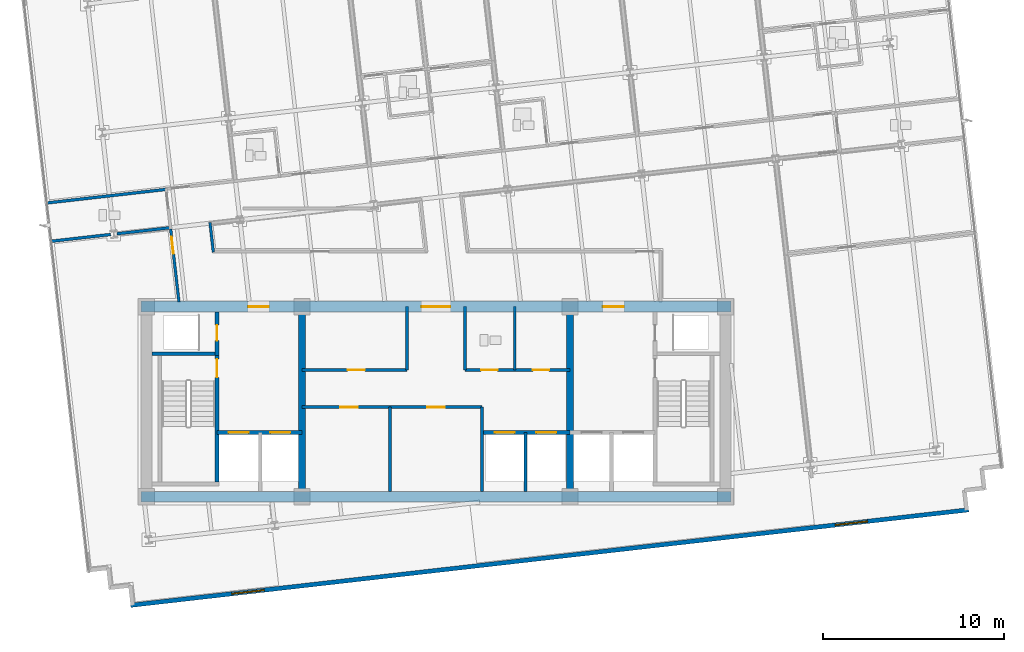
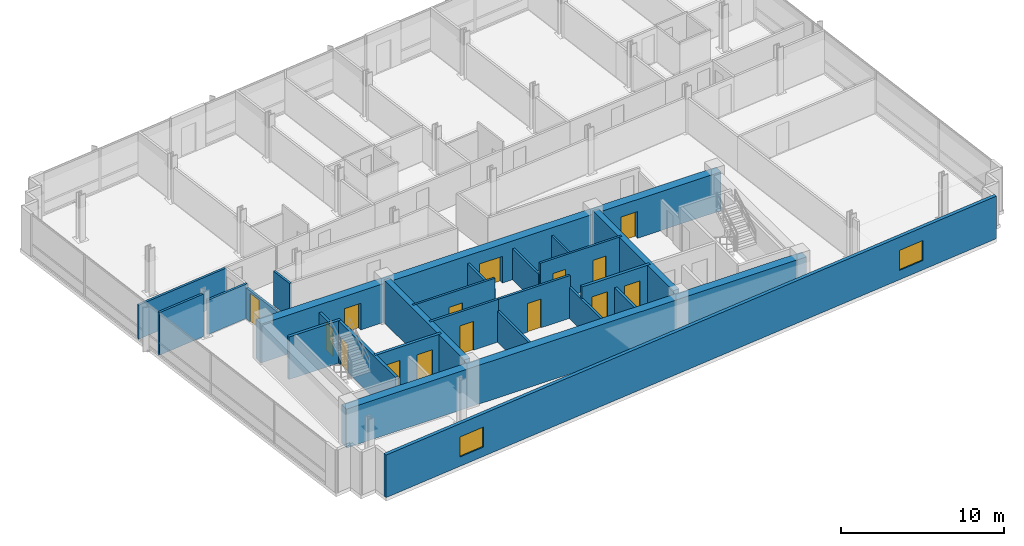
# One storey, part 9 of 16: 25 walls, 15 doors, 2 windows, 17 openings.
"""IFC4 building model written with IfcOpenShell, lengths in metres."""

from ifc_helpers import new_model, si_unit, direction, frame, frame_2d, origin, place, context, subcontext, project, spatial, rectangle, extrude, material, layer, layer_set, type_object, element, fill, save


model = new_model("IFC4")

# Units and contexts
model_context = context("Model", 3, precision=1e-05, world=origin(), true_north=direction((0.0, 1.0)))
body_context = subcontext(model_context, "Body", "Model", "MODEL_VIEW")
ifc_project = project(units=[si_unit("LENGTHUNIT", "METRE"), si_unit("AREAUNIT", "SQUARE_METRE"), si_unit("VOLUMEUNIT", "CUBIC_METRE"), si_unit("PLANEANGLEUNIT", "RADIAN"), si_unit("MASSUNIT", "GRAM", prefix="KILO")], contexts=[model_context])

# Site, building, storey
site_placement = place(None, origin())
site = spatial("IfcSite", under=ifc_project, at=site_placement, CompositionType="ELEMENT")
building_placement = place(site_placement, origin())
building = spatial("IfcBuilding", under=site, at=building_placement, Name="Solmavex Isthmus Hotel", CompositionType="ELEMENT")
storey_placement = place(building_placement, frame((0.0, 0.0, 215.85009765625)))
storey = spatial("IfcBuildingStorey", under=building, at=storey_placement, Name="L58", CompositionType="ELEMENT", Elevation=215.85009765625)

# Wall, openings, windows
ifc_material_1 = material(Name="Precast Concrete C40/50", Category="concrete")
ifc_layer_1 = layer(ifc_material_1, 0.25)
ifc_layer_set_1 = layer_set([ifc_layer_1], Name="Precast Concrete C40/50")
wall_type_1 = type_object("IfcWallType", Name="EW-TWR-250", PredefinedType="STANDARD", material=ifc_layer_set_1)
wall_1_placement = place(storey_placement, frame((-16.86962890625, -18.99951171875, 0.0), z_axis=(0.0, 0.0, 1.0), x_axis=(0.993571588328, 0.113205560228, 0.0)))
wall_1 = element("IfcWall", 1, at=wall_1_placement, inside=storey, type_object=wall_type_1, Name="Tower Rear South Facade Wall L58", PredefinedType="STANDARD", context=body_context, shape_type="SweptSolid", body=[
    extrude(rectangle(XDim=46.60009765625, YDim=0.239990234375, at=frame_2d((23.300048828125, 0.0))), origin(), (0.0, 0.0, 1.0), 3.18994140625),
])
opening_1_placement = place(wall_1_placement, frame((5.6240234375, 0.0, 0.699951171875)))
opening_1 = element("IfcOpeningElement", 2, at=opening_1_placement, cuts=wall_1, Name="Opening WN-02", PredefinedType="OPENING", context=body_context, shape_type="SweptSolid", body=[
    extrude(rectangle(XDim=1.800048828125, YDim=1.5, at=frame_2d((0.89990234375, 0.75))), frame((0.0, 0.1298828125, 0.0), z_axis=(0.0, -1.0, 0.0), x_axis=(1.0, 0.0, 0.0)), (0.0, 0.0, 1.0), 0.260009765625),
])
opening_2_placement = place(wall_1_placement, frame((39.176025390625, 0.0, 0.699951171875)))
opening_2 = element("IfcOpeningElement", 3, at=opening_2_placement, cuts=wall_1, Name="Opening WN-02", PredefinedType="OPENING", context=body_context, shape_type="SweptSolid", body=[
    extrude(rectangle(XDim=1.800048828125, YDim=1.5, at=frame_2d((0.89990234375, 0.75))), frame((0.0, 0.1298828125, 0.0), z_axis=(0.0, -1.0, 0.0), x_axis=(1.0, 0.0, 0.0)), (0.0, 0.0, 1.0), 0.260009765625),
])
ifc_material_2 = material(Name="Clear low-E laminated glass", Category="glass")
window_type = type_object("IfcWindowType", Name="WIN-TWR-1800", PartitioningType="SINGLE_PANEL", PredefinedType="WINDOW", material=ifc_material_2)
window_1_placement = place(opening_1_placement, origin())
window_1 = element("IfcWindow", 4, at=window_1_placement, inside=storey, type_object=window_type, Name="South Facade Vision Window L58-S1", OverallHeight=1.5, OverallWidth=1.800048828125, PartitioningType="SINGLE_PANEL", PredefinedType="WINDOW", context=body_context, shape_type="SweptSolid", body=[
    extrude(rectangle(XDim=1.800048828125, YDim=1.5, at=frame_2d((0.89990234375, 0.75))), frame((0.0, 0.030029296875, 0.0), z_axis=(0.0, -1.0, 0.0), x_axis=(1.0, 0.0, 0.0)), (0.0, 0.0, 1.0), 0.06005859375),
])
fill(opening_1, window_1)
window_2_placement = place(opening_2_placement, origin())
window_2 = element("IfcWindow", 5, at=window_2_placement, inside=storey, type_object=window_type, Name="South Facade Vision Window L58-S2", OverallHeight=1.5, OverallWidth=1.800048828125, PartitioningType="SINGLE_PANEL", PredefinedType="WINDOW", context=body_context, shape_type="SweptSolid", body=[
    extrude(rectangle(XDim=1.800048828125, YDim=1.5, at=frame_2d((0.89990234375, 0.75))), frame((0.0, 0.030029296875, 0.0), z_axis=(0.0, -1.0, 0.0), x_axis=(1.0, 0.0, 0.0)), (0.0, 0.0, 1.0), 0.06005859375),
])
fill(opening_2, window_2)

# Wall, opening, door
ifc_material_3 = material(Name="Gypsum plasterboard lining", Category="gypsum")
ifc_layer_2 = layer(ifc_material_3, 0.159912109375)
ifc_layer_set_2 = layer_set([ifc_layer_2], Name="Gypsum plasterboard lining")
wall_type_2 = type_object("IfcWallType", Name="IW-COMP-160", PredefinedType="PARTITIONING", material=ifc_layer_set_2)
wall_2_placement = place(storey_placement, frame((-7.39990234375, -8.050048828125, 0.0), z_axis=(0.0, 0.0, 1.0), x_axis=(1.0, 0.0, 0.0)))
wall_2 = element("IfcWall", 6, at=wall_2_placement, inside=storey, type_object=wall_type_2, Name="Interior Partition Wall W-L58-REC-PLL-N", PredefinedType="PARTITIONING", context=body_context, shape_type="SweptSolid", body=[
    extrude(rectangle(XDim=4.849853515625, YDim=0.159912109375, at=frame_2d((2.4248046875, 0.0))), origin(), (0.0, 0.0, 1.0), 3.18994140625),
])
opening_3_placement = place(wall_2_placement, frame((2.125, 0.0, 0.0)))
opening_3 = element("IfcOpeningElement", 7, at=opening_3_placement, cuts=wall_2, Name="Opening ID-C095", PredefinedType="OPENING", context=body_context, shape_type="SweptSolid", body=[
    extrude(rectangle(XDim=0.949951171875, YDim=2.14990234375, at=frame_2d((0.47509765625, 1.074951171875))), frame((0.0, 0.08984375, 0.0), z_axis=(0.0, -1.0, 0.0), x_axis=(1.0, 0.0, 0.0)), (0.0, 0.0, 1.0), 0.179931640625),
])
ifc_material_4 = material(Name="Hardwood timber", Category="wood")
door_type_1 = type_object("IfcDoorType", Name="IDR-FD60-0950", OperationType="NOTDEFINED", PredefinedType="DOOR", material=ifc_material_4)
door_1_placement = place(opening_3_placement, origin())
door_1 = element("IfcDoor", 8, at=door_1_placement, inside=storey, type_object=door_type_1, Name="Linen Reserve Door L58", OperationType="SINGLE_SWING_LEFT", OverallHeight=2.14990234375, OverallWidth=0.949951171875, PredefinedType="DOOR", context=body_context, shape_type="SweptSolid", body=[
    extrude(rectangle(XDim=0.949951171875, YDim=2.14990234375, at=frame_2d((0.47509765625, 1.074951171875))), frame((0.0, 0.02490234375, 0.0), z_axis=(0.0, -1.0, 0.0), x_axis=(1.0, 0.0, 0.0)), (0.0, 0.0, 1.0), 0.050048828125),
])
fill(opening_3, door_1)

# Wall
wall_3_placement = place(storey_placement, frame((-2.550048828125, -12.699951171875, 0.0), z_axis=(0.0, 0.0, 1.0), x_axis=(0.0, 1.0, 0.0)))
element("IfcWall", 9, at=wall_3_placement, inside=storey, type_object=wall_type_2, Name="Interior Partition Wall W-L58-REC-PLL-E", PredefinedType="PARTITIONING", context=body_context, shape_type="SweptSolid", body=[
    extrude(rectangle(XDim=4.64990234375, YDim=0.159912109375, at=frame_2d((2.324951171875, 0.0))), origin(), (0.0, 0.0, 1.0), 2.324951171875),
])

# Wall, opening, door
wall_4_placement = place(storey_placement, frame((-2.550048828125, -8.050048828125, 0.0), z_axis=(0.0, 0.0, 1.0), x_axis=(1.0, 0.0, 0.0)))
wall_4 = element("IfcWall", 10, at=wall_4_placement, inside=storey, type_object=wall_type_2, Name="Interior Partition Wall W-L58-REC-PLM-N", PredefinedType="PARTITIONING", context=body_context, shape_type="SweptSolid", body=[
    extrude(rectangle(XDim=5.10009765625, YDim=0.159912109375, at=frame_2d((2.550048828125, 0.0))), origin(), (0.0, 0.0, 1.0), 3.18994140625),
])
opening_4_placement = place(wall_4_placement, frame((2.074951171875, 0.0, 0.0)))
opening_4 = element("IfcOpeningElement", 11, at=opening_4_placement, cuts=wall_4, Name="Opening ID-C095", PredefinedType="OPENING", context=body_context, shape_type="SweptSolid", body=[
    extrude(rectangle(XDim=0.949951171875, YDim=2.14990234375, at=frame_2d((0.47509765625, 1.074951171875))), frame((0.0, 0.08984375, 0.0), z_axis=(0.0, -1.0, 0.0), x_axis=(1.0, 0.0, 0.0)), (0.0, 0.0, 1.0), 0.179931640625),
])
door_2_placement = place(opening_4_placement, origin())
door_2 = element("IfcDoor", 12, at=door_2_placement, inside=storey, type_object=door_type_1, Name="Butler Store Door L58", OperationType="SINGLE_SWING_RIGHT", OverallHeight=2.14990234375, OverallWidth=0.949951171875, PredefinedType="DOOR", context=body_context, shape_type="SweptSolid", body=[
    extrude(rectangle(XDim=0.949951171875, YDim=2.14990234375, at=frame_2d((0.47509765625, 1.074951171875))), frame((0.0, 0.02490234375, 0.0), z_axis=(0.0, -1.0, 0.0), x_axis=(1.0, 0.0, 0.0)), (0.0, 0.0, 1.0), 0.050048828125),
])
fill(opening_4, door_2)

# Walls
wall_5_placement = place(storey_placement, frame((2.550048828125, -12.699951171875, 0.0), z_axis=(0.0, 0.0, 1.0), x_axis=(0.0, 1.0, 0.0)))
element("IfcWall", 13, at=wall_5_placement, inside=storey, type_object=wall_type_2, Name="Interior Partition Wall W-L58-REC-PLM-E", PredefinedType="PARTITIONING", context=body_context, shape_type="SweptSolid", body=[
    extrude(rectangle(XDim=4.64990234375, YDim=0.159912109375, at=frame_2d((2.324951171875, 0.0))), origin(), (0.0, 0.0, 1.0), 2.324951171875),
])
wall_6_placement = place(storey_placement, frame((-14.86865234375, 3.98486328125, 0.0), z_axis=(0.0, 0.0, 1.0), x_axis=(-0.993568743641, -0.113230524415, 0.0)))
element("IfcWall", 14, at=wall_6_placement, inside=storey, type_object=wall_type_2, Name="Interior Partition Wall W-L58-P028", PredefinedType="PARTITIONING", context=body_context, shape_type="SweptSolid", body=[
    extrude(rectangle(XDim=6.7099609375, YDim=0.159912109375, at=frame_2d((3.35498046875, 0.0))), origin(), (0.0, 0.0, 1.0), 2.557373046875),
])
wall_7_placement = place(storey_placement, frame((-17.97216796875, 1.4873046875, 0.0), z_axis=(0.0, 0.0, 1.0), x_axis=(-0.993575433752, -0.113171804991, 0.0)))
element("IfcWall", 15, at=wall_7_placement, inside=storey, type_object=wall_type_2, Name="Interior Partition Wall W-L58-P063", PredefinedType="PARTITIONING", context=body_context, shape_type="SweptSolid", body=[
    extrude(rectangle(XDim=3.34375, YDim=0.159912109375, at=frame_2d((1.671875, 0.0))), origin(), (0.0, 0.0, 1.0), 3.18994140625),
])
wall_8_placement = place(storey_placement, frame((-14.62744140625, 1.868408203125, 0.0), z_axis=(0.0, 0.0, 1.0), x_axis=(-0.993574646464, -0.113178716659, 0.0)))
element("IfcWall", 16, at=wall_8_placement, inside=storey, type_object=wall_type_2, Name="Interior Partition Wall W-L58-P064", PredefinedType="PARTITIONING", context=body_context, shape_type="SweptSolid", body=[
    extrude(rectangle(XDim=3.013427734375, YDim=0.159912109375, at=frame_2d((1.5068359375, 0.0))), origin(), (0.0, 0.0, 1.0), 2.572265625),
])

# Wall, opening, door
ifc_layer_3 = layer(ifc_material_3, 0.14990234375)
ifc_layer_set_3 = layer_set([ifc_layer_3], Name="Gypsum plasterboard lining")
wall_type_3 = type_object("IfcWallType", Name="IW-CORR-150", PredefinedType="PARTITIONING", material=ifc_layer_set_3)
wall_9_placement = place(storey_placement, frame((-7.39990234375, -6.0, 0.0), z_axis=(0.0, 0.0, 1.0), x_axis=(1.0, 0.0, 0.0)))
wall_9 = element("IfcWall", 17, at=wall_9_placement, inside=storey, type_object=wall_type_3, Name="Interior Partition Wall W-L58-BOH-WS", PredefinedType="PARTITIONING", context=body_context, shape_type="SweptSolid", body=[
    extrude(rectangle(XDim=5.7998046875, YDim=0.14990234375, at=frame_2d((2.89990234375, 0.0))), origin(), (0.0, 0.0, 1.0), 3.18994140625),
])
opening_5_placement = place(wall_9_placement, frame((2.52490234375, 0.0, 0.0)))
opening_5 = element("IfcOpeningElement", 18, at=opening_5_placement, cuts=wall_9, Name="Opening ID-C095", PredefinedType="OPENING", context=body_context, shape_type="SweptSolid", body=[
    extrude(rectangle(XDim=0.949951171875, YDim=2.14990234375, at=frame_2d((0.47509765625, 1.074951171875))), frame((0.0, 0.0849609375, 0.0), z_axis=(0.0, -1.0, 0.0), x_axis=(1.0, 0.0, 0.0)), (0.0, 0.0, 1.0), 0.169921875),
])
door_3_placement = place(opening_5_placement, frame((0.949951171875, 0.0, 0.0), z_axis=(0.0, 0.0, 1.0), x_axis=(-1.0, 0.0, 0.0)))
door_3 = element("IfcDoor", 19, at=door_3_placement, inside=storey, type_object=door_type_1, Name="Housekeeping Room Door L58", OperationType="SINGLE_SWING_LEFT", OverallHeight=2.14990234375, OverallWidth=0.949951171875, PredefinedType="DOOR", context=body_context, shape_type="SweptSolid", body=[
    extrude(rectangle(XDim=0.949951171875, YDim=2.14990234375, at=frame_2d((0.47509765625, 1.074951171875))), frame((0.0, 0.02490234375, 0.0), z_axis=(0.0, -1.0, 0.0), x_axis=(1.0, 0.0, 0.0)), (0.0, 0.0, 1.0), 0.050048828125),
])
fill(opening_5, door_3)

# Wall
wall_10_placement = place(storey_placement, frame((-1.60009765625, -6.0, 0.0), z_axis=(0.0, 0.0, 1.0), x_axis=(0.0, 1.0, 0.0)))
element("IfcWall", 20, at=wall_10_placement, inside=storey, type_object=wall_type_3, Name="Interior Partition Wall W-L58-BOH-WE", PredefinedType="PARTITIONING", context=body_context, shape_type="SweptSolid", body=[
    extrude(rectangle(XDim=3.5, YDim=0.14990234375, at=frame_2d((1.75, 0.0))), origin(), (0.0, 0.0, 1.0), 2.324951171875),
])

# Wall, openings, doors
wall_11_placement = place(storey_placement, frame((1.60009765625, -6.0, 0.0), z_axis=(0.0, 0.0, 1.0), x_axis=(1.0, 0.0, 0.0)))
wall_11 = element("IfcWall", 21, at=wall_11_placement, inside=storey, type_object=wall_type_3, Name="Interior Partition Wall W-L58-BOH-ES", PredefinedType="PARTITIONING", context=body_context, shape_type="SweptSolid", body=[
    extrude(rectangle(XDim=5.7998046875, YDim=0.14990234375, at=frame_2d((2.89990234375, 0.0))), origin(), (0.0, 0.0, 1.0), 3.18994140625),
])
opening_6_placement = place(wall_11_placement, frame((0.89990234375, 0.0, 0.0)))
opening_6 = element("IfcOpeningElement", 22, at=opening_6_placement, cuts=wall_11, Name="Opening ID-C090", PredefinedType="OPENING", context=body_context, shape_type="SweptSolid", body=[
    extrude(rectangle(XDim=0.89990234375, YDim=2.10009765625, at=frame_2d((0.449951171875, 1.050048828125))), frame((0.0, 0.0849609375, 0.0), z_axis=(0.0, -1.0, 0.0), x_axis=(1.0, 0.0, 0.0)), (0.0, 0.0, 1.0), 0.169921875),
])
opening_7_placement = place(wall_11_placement, frame((3.75, 0.0, 0.0)))
opening_7 = element("IfcOpeningElement", 23, at=opening_7_placement, cuts=wall_11, Name="Opening ID-C090", PredefinedType="OPENING", context=body_context, shape_type="SweptSolid", body=[
    extrude(rectangle(XDim=0.89990234375, YDim=2.10009765625, at=frame_2d((0.449951171875, 1.050048828125))), frame((0.0, 0.0849609375, 0.0), z_axis=(0.0, -1.0, 0.0), x_axis=(1.0, 0.0, 0.0)), (0.0, 0.0, 1.0), 0.169921875),
])
door_type_2 = type_object("IfcDoorType", Name="IDR-FD60-0900", OperationType="NOTDEFINED", PredefinedType="DOOR", material=ifc_material_4)
door_4_placement = place(opening_6_placement, frame((0.89990234375, 0.0, 0.0), z_axis=(0.0, 0.0, 1.0), x_axis=(-1.0, 0.0, 0.0)))
door_4 = element("IfcDoor", 24, at=door_4_placement, inside=storey, type_object=door_type_2, Name="Staff WC Door L58", OperationType="SINGLE_SWING_RIGHT", OverallHeight=2.10009765625, OverallWidth=0.89990234375, PredefinedType="DOOR", context=body_context, shape_type="SweptSolid", body=[
    extrude(rectangle(XDim=0.89990234375, YDim=2.10009765625, at=frame_2d((0.449951171875, 1.050048828125))), frame((0.0, 0.02490234375, 0.0), z_axis=(0.0, -1.0, 0.0), x_axis=(1.0, 0.0, 0.0)), (0.0, 0.0, 1.0), 0.050048828125),
])
fill(opening_6, door_4)
door_5_placement = place(opening_7_placement, frame((0.89990234375, 0.0, 0.0), z_axis=(0.0, 0.0, 1.0), x_axis=(-1.0, 0.0, 0.0)))
door_5 = element("IfcDoor", 25, at=door_5_placement, inside=storey, type_object=door_type_2, Name="Pantry Door L58", OperationType="SINGLE_SWING_LEFT", OverallHeight=2.10009765625, OverallWidth=0.89990234375, PredefinedType="DOOR", context=body_context, shape_type="SweptSolid", body=[
    extrude(rectangle(XDim=0.89990234375, YDim=2.10009765625, at=frame_2d((0.449951171875, 1.050048828125))), frame((0.0, 0.02490234375, 0.0), z_axis=(0.0, -1.0, 0.0), x_axis=(1.0, 0.0, 0.0)), (0.0, 0.0, 1.0), 0.050048828125),
])
fill(opening_7, door_5)

# Walls
wall_12_placement = place(storey_placement, frame((1.60009765625, -6.0, 0.0), z_axis=(0.0, 0.0, 1.0), x_axis=(0.0, 1.0, 0.0)))
element("IfcWall", 26, at=wall_12_placement, inside=storey, type_object=wall_type_3, Name="Interior Partition Wall W-L58-BOH-EW", PredefinedType="PARTITIONING", context=body_context, shape_type="SweptSolid", body=[
    extrude(rectangle(XDim=3.5, YDim=0.14990234375, at=frame_2d((1.75, 0.0))), origin(), (0.0, 0.0, 1.0), 2.324951171875),
])
wall_13_placement = place(storey_placement, frame((-12.48583984375, 2.15283203125, 0.0), z_axis=(0.0, 0.0, 1.0), x_axis=(0.113121752139, -0.993581133674, 0.0)))
element("IfcWall", 27, at=wall_13_placement, inside=storey, type_object=wall_type_3, Name="Interior Partition Wall W-L58-P012", PredefinedType="PARTITIONING", context=body_context, shape_type="SweptSolid", body=[
    extrude(rectangle(XDim=1.653076171875, YDim=0.14990234375, at=frame_2d((0.82666015625, 0.0))), origin(), (0.0, 0.0, 1.0), 2.572265625),
])

# Wall, opening, door
wall_14_placement = place(storey_placement, frame((-14.19970703125, -2.23974609375, 0.0), z_axis=(0.0, 0.0, 1.0), x_axis=(-0.11319839611, 0.993572404568, 0.0)))
wall_14 = element("IfcWall", 28, at=wall_14_placement, inside=storey, type_object=wall_type_3, Name="Interior Partition Wall W-L58-P018", PredefinedType="PARTITIONING", context=body_context, shape_type="SweptSolid", body=[
    extrude(rectangle(XDim=4.212158203125, YDim=0.14990234375, at=frame_2d((2.10595703125, 0.0))), origin(), (0.0, 0.0, 1.0), 2.324951171875),
])
opening_8_placement = place(wall_14_placement, frame((2.67236328125, 0.0, 0.0)))
opening_8 = element("IfcOpeningElement", 29, at=opening_8_placement, cuts=wall_14, Name="Opening ID-C095", PredefinedType="OPENING", context=body_context, shape_type="SweptSolid", body=[
    extrude(rectangle(XDim=0.949951171875, YDim=2.14990234375, at=frame_2d((0.47509765625, 1.074951171875))), frame((0.0, 0.0849609375, 0.0), z_axis=(0.0, -1.0, 0.0), x_axis=(1.0, 0.0, 0.0)), (0.0, 0.0, 1.0), 0.169921875),
])
door_6_placement = place(opening_8_placement, frame((0.949951171875, 0.0, 0.0), z_axis=(0.0, 0.0, 1.0), x_axis=(-1.0, 0.0, 0.0)))
door_6 = element("IfcDoor", 30, at=door_6_placement, inside=storey, type_object=door_type_1, Name="Executive Hospitality Lounge Door L58-19", OperationType="SINGLE_SWING_LEFT", OverallHeight=2.14990234375, OverallWidth=0.949951171875, PredefinedType="DOOR", context=body_context, shape_type="SweptSolid", body=[
    extrude(rectangle(XDim=0.949951171875, YDim=2.14990234375, at=frame_2d((0.47509765625, 1.074951171875))), frame((0.0, 0.02490234375, 0.0), z_axis=(0.0, -1.0, 0.0), x_axis=(1.0, 0.0, 0.0)), (0.0, 0.0, 1.0), 0.050048828125),
])
fill(opening_8, door_6)

# Walls
ifc_layer_4 = layer(ifc_material_3, 0.1201171875)
ifc_layer_set_4 = layer_set([ifc_layer_4], Name="Gypsum plasterboard lining")
wall_type_4 = type_object("IfcWallType", Name="IW-PART-120", PredefinedType="PARTITIONING", material=ifc_layer_set_4)
wall_15_placement = place(storey_placement, frame((4.35009765625, -6.0, 0.0), z_axis=(0.0, 0.0, 1.0), x_axis=(0.0, 1.0, 0.0)))
element("IfcWall", 31, at=wall_15_placement, inside=storey, type_object=wall_type_4, Name="Interior Partition Wall W-L58-BOH-EM0", PredefinedType="PARTITIONING", context=body_context, shape_type="SweptSolid", body=[
    extrude(rectangle(XDim=3.5, YDim=0.14990234375, at=frame_2d((1.75, 0.0))), origin(), (0.0, 0.0, 1.0), 2.324951171875),
])
ifc_material_5 = material(Name="Concrete C40/50", Category="concrete")
ifc_layer_5 = layer(ifc_material_5, 0.179931640625)
ifc_layer_set_5 = layer_set([ifc_layer_5], Name="Concrete C40/50")
wall_type_5 = type_object("IfcWallType", Name="IW-SHAFT-180", PredefinedType="PARTITIONING", material=ifc_layer_set_5)
wall_16_placement = place(storey_placement, frame((4.949951171875, -12.699951171875, 0.0), z_axis=(0.0, 0.0, 1.0), x_axis=(0.0, 1.0, 0.0)))
element("IfcWall", 32, at=wall_16_placement, inside=storey, type_object=wall_type_5, Name="Interior Partition Wall W-L58-SH-PLH-M", PredefinedType="PARTITIONING", context=body_context, shape_type="SweptSolid", body=[
    extrude(rectangle(XDim=3.25, YDim=0.179931640625, at=frame_2d((1.625, 0.0))), origin(), (0.0, 0.0, 1.0), 2.324951171875),
])

# Wall, opening, door
ifc_layer_6 = layer(ifc_material_5, 0.199951171875)
ifc_layer_set_6 = layer_set([ifc_layer_6], Name="Concrete C40/50")
wall_type_6 = type_object("IfcWallType", Name="IW-SHAFT-200", PredefinedType="PARTITIONING", material=ifc_layer_set_6)
wall_17_placement = place(storey_placement, frame((-12.10009765625, -5.199951171875, 0.0), z_axis=(0.0, 0.0, 1.0), x_axis=(0.0, 1.0, 0.0)))
wall_17 = element("IfcWall", 33, at=wall_17_placement, inside=storey, type_object=wall_type_6, Name="Interior Partition Wall W-L58-RSW-E", PredefinedType="PARTITIONING", context=body_context, shape_type="SweptSolid", body=[
    extrude(rectangle(XDim=2.39990234375, YDim=0.199951171875, at=frame_2d((1.199951171875, 0.0))), origin(), (0.0, 0.0, 1.0), 2.324951171875),
])
opening_9_placement = place(wall_17_placement, frame((0.824951171875, 0.0, 0.0)))
opening_9 = element("IfcOpeningElement", 34, at=opening_9_placement, cuts=wall_17, Name="Opening ID-R085", PredefinedType="OPENING", context=body_context, shape_type="SweptSolid", body=[
    extrude(rectangle(XDim=0.85009765625, YDim=2.050048828125, at=frame_2d((0.425048828125, 1.02490234375))), frame((0.0, 0.10986328125, 0.0), z_axis=(0.0, -1.0, 0.0), x_axis=(1.0, 0.0, 0.0)), (0.0, 0.0, 1.0), 0.219970703125),
])
ifc_material_6 = material(Name="Steel ASTM A500 Grade C", Category="steel")
door_type_3 = type_object("IfcDoorType", Name="IDR-FD60-0850", OperationType="NOTDEFINED", PredefinedType="DOOR", material=ifc_material_6)
door_7_placement = place(opening_9_placement, origin())
door_7 = element("IfcDoor", 35, at=door_7_placement, inside=storey, type_object=door_type_3, Name="Electrical Riser Door L58", OperationType="SINGLE_SWING_RIGHT", OverallHeight=2.050048828125, OverallWidth=0.85009765625, PredefinedType="DOOR", context=body_context, shape_type="SweptSolid", body=[
    extrude(rectangle(XDim=0.85009765625, YDim=2.050048828125, at=frame_2d((0.425048828125, 1.02490234375))), frame((0.0, 0.02490234375, 0.0), z_axis=(0.0, -1.0, 0.0), x_axis=(1.0, 0.0, 0.0)), (0.0, 0.0, 1.0), 0.050048828125),
])
fill(opening_9, door_7)

# Wall, openings, doors
wall_18_placement = place(storey_placement, frame((-12.10009765625, -9.449951171875, 0.0), z_axis=(0.0, 0.0, 1.0), x_axis=(1.0, 0.0, 0.0)))
wall_18 = element("IfcWall", 36, at=wall_18_placement, inside=storey, type_object=wall_type_6, Name="Interior Partition Wall W-L58-FFLW-S", PredefinedType="PARTITIONING", context=body_context, shape_type="SweptSolid", body=[
    extrude(rectangle(XDim=4.7001953125, YDim=0.199951171875, at=frame_2d((2.35009765625, 0.0))), origin(), (0.0, 0.0, 1.0), 3.18994140625),
])
opening_10_placement = place(wall_18_placement, frame((0.64990234375, 0.0, 0.0)))
opening_10 = element("IfcOpeningElement", 37, at=opening_10_placement, cuts=wall_18, Name="Opening LD-FF", PredefinedType="OPENING", context=body_context, shape_type="SweptSolid", body=[
    extrude(rectangle(XDim=1.10009765625, YDim=2.199951171875, at=frame_2d((0.550048828125, 1.10009765625))), frame((0.0, 0.10986328125, 0.0), z_axis=(0.0, -1.0, 0.0), x_axis=(1.0, 0.0, 0.0)), (0.0, 0.0, 1.0), 0.219970703125),
])
opening_11_placement = place(wall_18_placement, frame((2.949951171875, 0.0, 0.0)))
opening_11 = element("IfcOpeningElement", 38, at=opening_11_placement, cuts=wall_18, Name="Opening LD-SV", PredefinedType="OPENING", context=body_context, shape_type="SweptSolid", body=[
    extrude(rectangle(XDim=1.10009765625, YDim=2.199951171875, at=frame_2d((0.550048828125, 1.10009765625))), frame((0.0, 0.10986328125, 0.0), z_axis=(0.0, -1.0, 0.0), x_axis=(1.0, 0.0, 0.0)), (0.0, 0.0, 1.0), 0.219970703125),
])
ifc_material_7 = material(Name="Stainless steel 316", Category="steel")
door_type_4 = type_object("IfcDoorType", Name="LDR-FF-1100", OperationType="NOTDEFINED", PredefinedType="DOOR", material=ifc_material_7)
door_8_placement = place(opening_10_placement, origin())
door_8 = element("IfcDoor", 39, at=door_8_placement, inside=storey, type_object=door_type_4, Name="Lift Landing Door FFL-1 L58", OperationType="SLIDING_TO_LEFT", OverallHeight=2.199951171875, OverallWidth=1.10009765625, PredefinedType="DOOR", context=body_context, shape_type="SweptSolid", body=[
    extrude(rectangle(XDim=1.10009765625, YDim=2.199951171875, at=frame_2d((0.550048828125, 1.10009765625))), frame((0.0, 0.02490234375, 0.0), z_axis=(0.0, -1.0, 0.0), x_axis=(1.0, 0.0, 0.0)), (0.0, 0.0, 1.0), 0.050048828125),
])
fill(opening_10, door_8)
door_type_5 = type_object("IfcDoorType", Name="LDR-SV-1100", OperationType="NOTDEFINED", PredefinedType="DOOR", material=ifc_material_7)
door_9_placement = place(opening_11_placement, origin())
door_9 = element("IfcDoor", 40, at=door_9_placement, inside=storey, type_object=door_type_5, Name="Lift Landing Door SVL-1 L58", OperationType="SLIDING_TO_RIGHT", OverallHeight=2.199951171875, OverallWidth=1.10009765625, PredefinedType="DOOR", context=body_context, shape_type="SweptSolid", body=[
    extrude(rectangle(XDim=1.10009765625, YDim=2.199951171875, at=frame_2d((0.550048828125, 1.10009765625))), frame((0.0, 0.02490234375, 0.0), z_axis=(0.0, -1.0, 0.0), x_axis=(1.0, 0.0, 0.0)), (0.0, 0.0, 1.0), 0.050048828125),
])
fill(opening_11, door_9)

wall_19_placement = place(storey_placement, frame((2.550048828125, -9.449951171875, 0.0), z_axis=(0.0, 0.0, 1.0), x_axis=(1.0, 0.0, 0.0)))
wall_19 = element("IfcWall", 41, at=wall_19_placement, inside=storey, type_object=wall_type_6, Name="Interior Partition Wall W-L58-SH-PLH", PredefinedType="PARTITIONING", context=body_context, shape_type="SweptSolid", body=[
    extrude(rectangle(XDim=4.849853515625, YDim=0.199951171875, at=frame_2d((2.4248046875, 0.0))), origin(), (0.0, 0.0, 1.0), 3.18994140625),
])
opening_12_placement = place(wall_19_placement, frame((0.699951171875, 0.0, 0.0)))
opening_12 = element("IfcOpeningElement", 42, at=opening_12_placement, cuts=wall_19, Name="Opening LD-PL", PredefinedType="OPENING", context=body_context, shape_type="SweptSolid", body=[
    extrude(rectangle(XDim=1.10009765625, YDim=2.199951171875, at=frame_2d((0.550048828125, 1.10009765625))), frame((0.0, 0.10986328125, 0.0), z_axis=(0.0, -1.0, 0.0), x_axis=(1.0, 0.0, 0.0)), (0.0, 0.0, 1.0), 0.219970703125),
])
opening_13_placement = place(wall_19_placement, frame((3.0, 0.0, 0.0)))
opening_13 = element("IfcOpeningElement", 43, at=opening_13_placement, cuts=wall_19, Name="Opening LD-PL", PredefinedType="OPENING", context=body_context, shape_type="SweptSolid", body=[
    extrude(rectangle(XDim=1.10009765625, YDim=2.199951171875, at=frame_2d((0.550048828125, 1.10009765625))), frame((0.0, 0.10986328125, 0.0), z_axis=(0.0, -1.0, 0.0), x_axis=(1.0, 0.0, 0.0)), (0.0, 0.0, 1.0), 0.219970703125),
])
door_type_6 = type_object("IfcDoorType", Name="LDR-PL-1100", OperationType="NOTDEFINED", PredefinedType="DOOR", material=ifc_material_7)
door_10_placement = place(opening_12_placement, origin())
door_10 = element("IfcDoor", 44, at=door_10_placement, inside=storey, type_object=door_type_6, Name="Lift Landing Door PLH1 L58", OperationType="SLIDING_TO_LEFT", OverallHeight=2.199951171875, OverallWidth=1.10009765625, PredefinedType="DOOR", context=body_context, shape_type="SweptSolid", body=[
    extrude(rectangle(XDim=1.10009765625, YDim=2.199951171875, at=frame_2d((0.550048828125, 1.10009765625))), frame((0.0, 0.02490234375, 0.0), z_axis=(0.0, -1.0, 0.0), x_axis=(1.0, 0.0, 0.0)), (0.0, 0.0, 1.0), 0.050048828125),
])
fill(opening_12, door_10)
door_11_placement = place(opening_13_placement, origin())
door_11 = element("IfcDoor", 45, at=door_11_placement, inside=storey, type_object=door_type_6, Name="Lift Landing Door PLH2 L58", OperationType="SLIDING_TO_LEFT", OverallHeight=2.199951171875, OverallWidth=1.10009765625, PredefinedType="DOOR", context=body_context, shape_type="SweptSolid", body=[
    extrude(rectangle(XDim=1.10009765625, YDim=2.199951171875, at=frame_2d((0.550048828125, 1.10009765625))), frame((0.0, 0.02490234375, 0.0), z_axis=(0.0, -1.0, 0.0), x_axis=(1.0, 0.0, 0.0)), (0.0, 0.0, 1.0), 0.050048828125),
])
fill(opening_13, door_11)

# Walls
ifc_material_8 = material(Name="Concrete C50/60", Category="concrete")
ifc_layer_7 = layer(ifc_material_8, 0.39990234375)
ifc_layer_set_7 = layer_set([ifc_layer_7], Name="Concrete C50/60")
wall_type_7 = type_object("IfcWallType", Name="WALL-CW-400H", PredefinedType="SHEAR", material=ifc_layer_set_7)
for number, where, z_axis, x_axis, name in (
    (46, (-7.39990234375, -12.699951171875, 0.0), (0.0, 0.0, 1.0), (0.0, 1.0, 0.0), "Core Cross Shear Wall C1 L58"),
    (47, (7.39990234375, -12.699951171875, 0.0), (0.0, 0.0, 1.0), (0.0, 1.0, 0.0), "Core Cross Shear Wall C2 L58"),
):
    element("IfcWall", number, at=place(storey_placement, frame(where, z_axis=z_axis, x_axis=x_axis)), inside=storey, type_object=wall_type_7, Name=name, PredefinedType="SHEAR", context=body_context, shape_type="SweptSolid", body=[
        extrude(rectangle(XDim=9.89990234375, YDim=0.39990234375, at=frame_2d((4.949951171875, 0.0))), origin(), (0.0, 0.0, 1.0), 3.18994140625),
    ])
ifc_layer_8 = layer(ifc_material_8, 0.60009765625)
ifc_layer_set_8 = layer_set([ifc_layer_8], Name="Concrete C50/60")
wall_type_8 = type_object("IfcWallType", Name="WALL-CW-600", PredefinedType="SHEAR", material=ifc_layer_set_8)
wall_20_placement = place(storey_placement, frame((-16.300048828125, -13.0, 0.0), z_axis=(0.0, 0.0, 1.0), x_axis=(1.0, 0.0, 0.0)))
element("IfcWall", 48, at=wall_20_placement, inside=storey, type_object=wall_type_8, Name="Core Shear Wall South L58", PredefinedType="SHEAR", context=body_context, shape_type="SweptSolid", body=[
    extrude(rectangle(XDim=32.60009765625, YDim=0.60009765625, at=frame_2d((16.300048828125, 0.0))), origin(), (0.0, 0.0, 1.0), 2.909912109375),
])

# Wall, openings, doors
wall_21_placement = place(storey_placement, frame((-16.300048828125, -2.5, 0.0), z_axis=(0.0, 0.0, 1.0), x_axis=(1.0, 0.0, 0.0)))
wall_21 = element("IfcWall", 49, at=wall_21_placement, inside=storey, type_object=wall_type_8, Name="Core Shear Wall North L58", PredefinedType="SHEAR", context=body_context, shape_type="SweptSolid", body=[
    extrude(rectangle(XDim=32.60009765625, YDim=0.60009765625, at=frame_2d((16.300048828125, 0.0))), origin(), (0.0, 0.0, 1.0), 2.909912109375),
])
opening_14_placement = place(wall_21_placement, frame((5.925048828125, 0.0, 0.0)))
opening_14 = element("IfcOpeningElement", 50, at=opening_14_placement, cuts=wall_21, Name="Opening ID-F915", PredefinedType="OPENING", context=body_context, shape_type="SweptSolid", body=[
    extrude(rectangle(XDim=1.14990234375, YDim=2.0, at=frame_2d((0.574951171875, 1.0))), frame((0.0, 0.31005859375, 0.0), z_axis=(0.0, -1.0, 0.0), x_axis=(1.0, 0.0, 0.0)), (0.0, 0.0, 1.0), 0.6201171875),
])
opening_15_placement = place(wall_21_placement, frame((15.5, 0.0, 0.0)))
opening_15 = element("IfcOpeningElement", 51, at=opening_15_placement, cuts=wall_21, Name="Opening ID-F960", PredefinedType="OPENING", context=body_context, shape_type="SweptSolid", body=[
    extrude(rectangle(XDim=1.60009765625, YDim=2.0, at=frame_2d((0.800048828125, 1.0))), frame((0.0, 0.31005859375, 0.0), z_axis=(0.0, -1.0, 0.0), x_axis=(1.0, 0.0, 0.0)), (0.0, 0.0, 1.0), 0.6201171875),
])
opening_16_placement = place(wall_21_placement, frame((25.52490234375, 0.0, 0.0)))
opening_16 = element("IfcOpeningElement", 52, at=opening_16_placement, cuts=wall_21, Name="Opening ID-F915", PredefinedType="OPENING", context=body_context, shape_type="SweptSolid", body=[
    extrude(rectangle(XDim=1.14990234375, YDim=2.0, at=frame_2d((0.574951171875, 1.0))), frame((0.0, 0.31005859375, 0.0), z_axis=(0.0, -1.0, 0.0), x_axis=(1.0, 0.0, 0.0)), (0.0, 0.0, 1.0), 0.6201171875),
])
door_type_7 = type_object("IfcDoorType", Name="IDR-FD90-1150C", OperationType="NOTDEFINED", PredefinedType="DOOR", material=ifc_material_6)
door_12_placement = place(opening_14_placement, origin())
door_12 = element("IfcDoor", 53, at=door_12_placement, inside=storey, type_object=door_type_7, Name="Firefighting Lobby West Exit Door L58", OperationType="SINGLE_SWING_LEFT", OverallHeight=2.0, OverallWidth=1.14990234375, PredefinedType="DOOR", context=body_context, shape_type="SweptSolid", body=[
    extrude(rectangle(XDim=1.14990234375, YDim=2.0, at=frame_2d((0.574951171875, 1.0))), frame((0.0, 0.02490234375, 0.0), z_axis=(0.0, -1.0, 0.0), x_axis=(1.0, 0.0, 0.0)), (0.0, 0.0, 1.0), 0.050048828125),
])
fill(opening_14, door_12)
door_13_placement = place(opening_16_placement, origin())
door_13 = element("IfcDoor", 54, at=door_13_placement, inside=storey, type_object=door_type_7, Name="Firefighting Lobby East Exit Door L58", OperationType="SINGLE_SWING_RIGHT", OverallHeight=2.0, OverallWidth=1.14990234375, PredefinedType="DOOR", context=body_context, shape_type="SweptSolid", body=[
    extrude(rectangle(XDim=1.14990234375, YDim=2.0, at=frame_2d((0.574951171875, 1.0))), frame((0.0, 0.02490234375, 0.0), z_axis=(0.0, -1.0, 0.0), x_axis=(1.0, 0.0, 0.0)), (0.0, 0.0, 1.0), 0.050048828125),
])
fill(opening_16, door_13)
door_type_8 = type_object("IfcDoorType", Name="IDR-FD90-1600C", OperationType="NOTDEFINED", PredefinedType="DOOR", material=ifc_material_6)
door_14_placement = place(opening_15_placement, origin())
door_14 = element("IfcDoor", 55, at=door_14_placement, inside=storey, type_object=door_type_8, Name="Central Lift Lobby Door L58", OperationType="DOUBLE_DOOR_SINGLE_SWING", OverallHeight=2.0, OverallWidth=1.60009765625, PredefinedType="DOOR", context=body_context, shape_type="SweptSolid", body=[
    extrude(rectangle(XDim=1.60009765625, YDim=2.0, at=frame_2d((0.800048828125, 1.0))), frame((0.0, 0.02490234375, 0.0), z_axis=(0.0, -1.0, 0.0), x_axis=(1.0, 0.0, 0.0)), (0.0, 0.0, 1.0), 0.050048828125),
])
fill(opening_15, door_14)

# Wall
ifc_layer_9 = layer(ifc_material_5, 0.199951171875)
ifc_layer_set_9 = layer_set([ifc_layer_9], Name="Concrete C40/50")
wall_type_9 = type_object("IfcWallType", Name="WALL-SW-200", PredefinedType="SOLIDWALL", material=ifc_layer_set_9)
wall_22_placement = place(storey_placement, frame((-15.699951171875, -5.10009765625, 0.0), z_axis=(0.0, 0.0, 1.0), x_axis=(1.0, 0.0, 0.0)))
element("IfcWall", 56, at=wall_22_placement, inside=storey, type_object=wall_type_9, Name="Stairwell Structural Wall SW-L58-ST1-N", PredefinedType="SOLIDWALL", context=body_context, shape_type="SweptSolid", body=[
    extrude(rectangle(XDim=3.699951171875, YDim=0.199951171875, at=frame_2d((1.85009765625, 0.0))), origin(), (0.0, 0.0, 1.0), 3.18994140625),
])

# Wall, opening, door
wall_23_placement = place(storey_placement, frame((-12.10009765625, -12.199951171875, 0.0), z_axis=(0.0, 0.0, 1.0), x_axis=(0.0, 1.0, 0.0)))
wall_23 = element("IfcWall", 57, at=wall_23_placement, inside=storey, type_object=wall_type_9, Name="Stairwell Structural Wall SW-L58-ST1-E", PredefinedType="SOLIDWALL", context=body_context, shape_type="SweptSolid", body=[
    extrude(rectangle(XDim=7.0, YDim=0.199951171875, at=frame_2d((3.5, 0.0))), origin(), (0.0, 0.0, 1.0), 3.18994140625),
])
opening_17_placement = place(wall_23_placement, frame((5.800048828125, 0.0, 0.0)))
opening_17 = element("IfcOpeningElement", 58, at=opening_17_placement, cuts=wall_23, Name="Opening ID-F100", PredefinedType="OPENING", context=body_context, shape_type="SweptSolid", body=[
    extrude(rectangle(XDim=1.0, YDim=2.10009765625, at=frame_2d((0.5, 1.050048828125))), frame((0.0, 0.10986328125, 0.0), z_axis=(0.0, -1.0, 0.0), x_axis=(1.0, 0.0, 0.0)), (0.0, 0.0, 1.0), 0.219970703125),
])
door_type_9 = type_object("IfcDoorType", Name="IDR-FD90-1000", OperationType="NOTDEFINED", PredefinedType="DOOR", material=ifc_material_6)
door_15_placement = place(opening_17_placement, frame((1.0, 0.0, 0.0), z_axis=(0.0, 0.0, 1.0), x_axis=(-1.0, 0.0, 0.0)))
door_15 = element("IfcDoor", 59, at=door_15_placement, inside=storey, type_object=door_type_9, Name="Stair ST-1 Fire Door L58", OperationType="SINGLE_SWING_LEFT", OverallHeight=2.10009765625, OverallWidth=1.0, PredefinedType="DOOR", context=body_context, shape_type="SweptSolid", body=[
    extrude(rectangle(XDim=1.0, YDim=2.10009765625, at=frame_2d((0.5, 1.050048828125))), frame((0.0, 0.02490234375, 0.0), z_axis=(0.0, -1.0, 0.0), x_axis=(1.0, 0.0, 0.0)), (0.0, 0.0, 1.0), 0.050048828125),
])
fill(opening_17, door_15)

save(model, "model.ifc")
